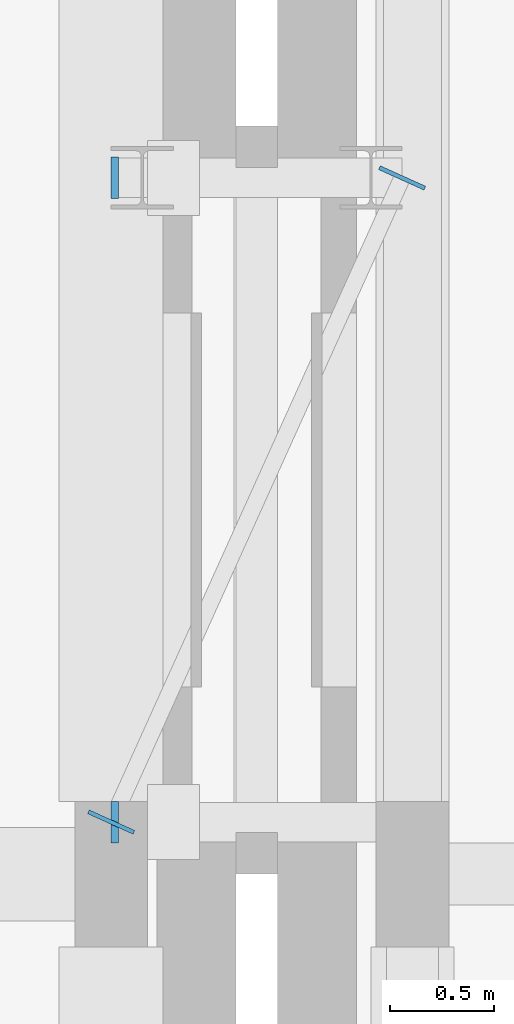
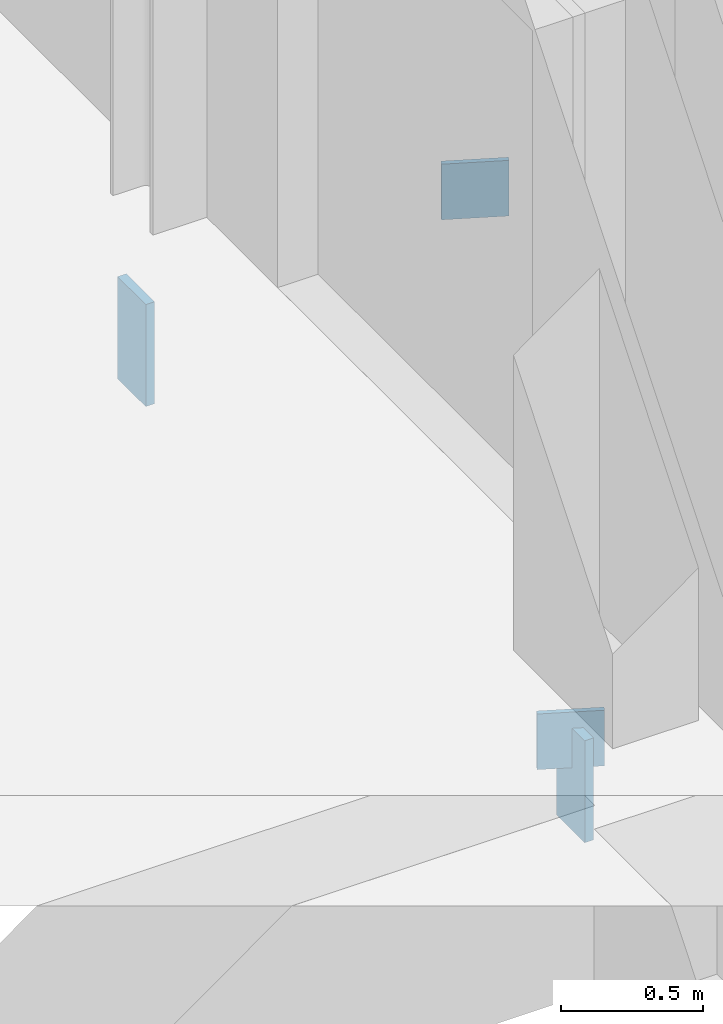
# One storey, part 40 of 84: 4 plates.
"""IFC4 building model written with IfcOpenShell, lengths in metres."""

from ifc_helpers import new_model, si_unit, direction, frame, origin, origin_2d, place, context, subcontext, project, spatial, rectangle, extrude, material, layer, layer_set, type_object, element, save


model = new_model("IFC4")

# Units and contexts
model_context = context("Model", 3, precision=1e-05, world=origin(), true_north=direction((0.0, 1.0)))
body_context = subcontext(model_context, "Body", "Model", "MODEL_VIEW")
ifc_project = project(units=[si_unit("LENGTHUNIT", "METRE"), si_unit("AREAUNIT", "SQUARE_METRE"), si_unit("VOLUMEUNIT", "CUBIC_METRE"), si_unit("PLANEANGLEUNIT", "RADIAN"), si_unit("MASSUNIT", "GRAM", prefix="KILO")], contexts=[model_context])

# Site, building, storey
site_placement = place(None, origin())
site = spatial("IfcSite", under=ifc_project, at=site_placement, CompositionType="ELEMENT")
building_placement = place(site_placement, origin())
building = spatial("IfcBuilding", under=site, at=building_placement, Name="Mzevani Central Library", CompositionType="ELEMENT")
storey_placement = place(building_placement, frame((0.0, 0.0, 5.39990234375)))
storey = spatial("IfcBuildingStorey", under=building, at=storey_placement, Name="L01", CompositionType="ELEMENT", Elevation=5.39990234375)

# Plates
ifc_material = material(Name="Steel S355J2", Category="steel")
ifc_layer_1 = layer(ifc_material, 0.02001953125, Name="Gridshell Hub Gusset Plate 20")
ifc_layer_set_1 = layer_set([ifc_layer_1], Name="Steel S355J2")
plate_type_1 = type_object("IfcPlateType", Name="Gridshell Hub Gusset Plate 20", PredefinedType="SHEET", material=ifc_layer_set_1)
for number, where, z_axis, x_axis, name in (
    (1, (45.300048828125, 100.25, -0.5), (0.0, 0.0, 1.0), (0.411585938782, 0.911370953562, 0.0), "L01 Stacks-Court Seismic Passage L01 Diaphragm Chord End Cap 1"),
    (2, (46.699951171875, 103.35009765625, -0.5), (0.0, 0.0, 1.0), (0.411585938782, 0.911370953562, 0.0), "L01 Stacks-Court Seismic Passage L01 Diaphragm Chord End Cap 2"),
):
    element("IfcPlate", number, at=place(storey_placement, frame(where, z_axis=z_axis, x_axis=x_axis)), inside=storey, type_object=plate_type_1, Name=name, PredefinedType="SHEET", context=body_context, shape_type="SweptSolid", body=[
        extrude(rectangle(XDim=0.02001953125, YDim=0.239990234375, at=origin_2d()), origin(), (0.0, 0.0, 1.0), 0.239990234375),
    ])
ifc_layer_2 = layer(ifc_material, 0.035888671875, Name="Truss Splice Flange Plate 36")
ifc_layer_set_2 = layer_set([ifc_layer_2], Name="Steel S355J2")
plate_type_2 = type_object("IfcPlateType", Name="Truss Splice Flange Plate 36", PredefinedType="USERDEFINED", material=ifc_layer_set_2)
for number, where, z_axis, x_axis, name in (
    (3, (45.318115234375, 100.25, -0.769775390625), (0.0, 0.0, 1.0), (1.0, 0.0, 0.0), "Stacks-Court Seismic Passage L01 Girder End Cap Plate 1"),
    (4, (45.318115234375, 103.35009765625, -0.769775390625), (0.0, 0.0, 1.0), (1.0, 0.0, 0.0), "Stacks-Court Seismic Passage L01 Girder End Cap Plate 2"),
):
    element("IfcPlate", number, at=place(storey_placement, frame(where, z_axis=z_axis, x_axis=x_axis)), inside=storey, type_object=plate_type_2, Name=name, ObjectType="SPLICE PLATE", PredefinedType="USERDEFINED", context=body_context, shape_type="SweptSolid", body=[
        extrude(rectangle(XDim=0.035888671875, YDim=0.199951171875, at=origin_2d()), origin(), (0.0, 0.0, 1.0), 0.43994140625),
    ])

save(model, "model.ifc")
